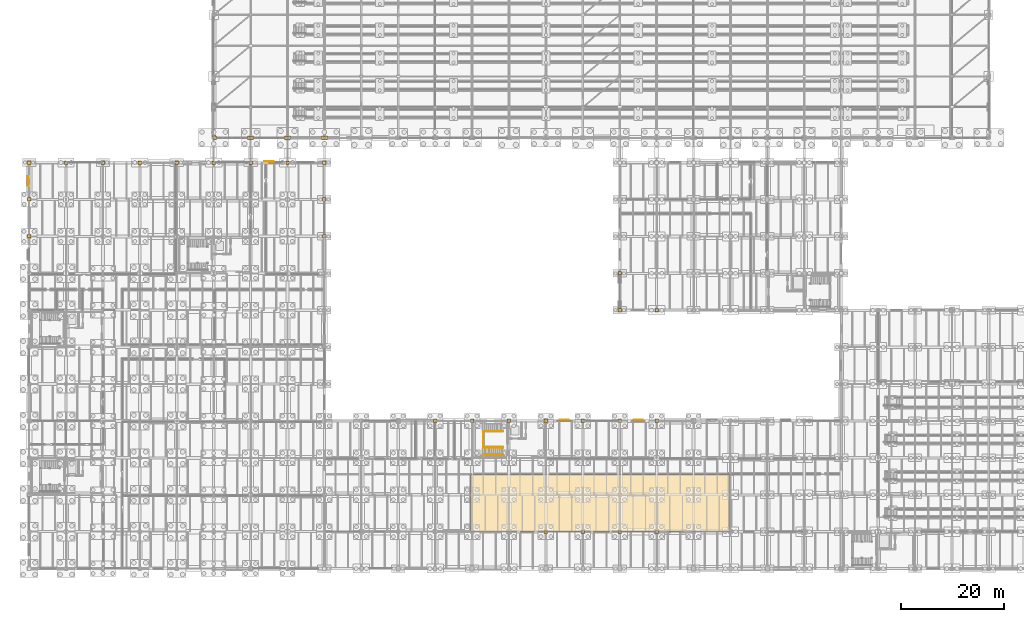
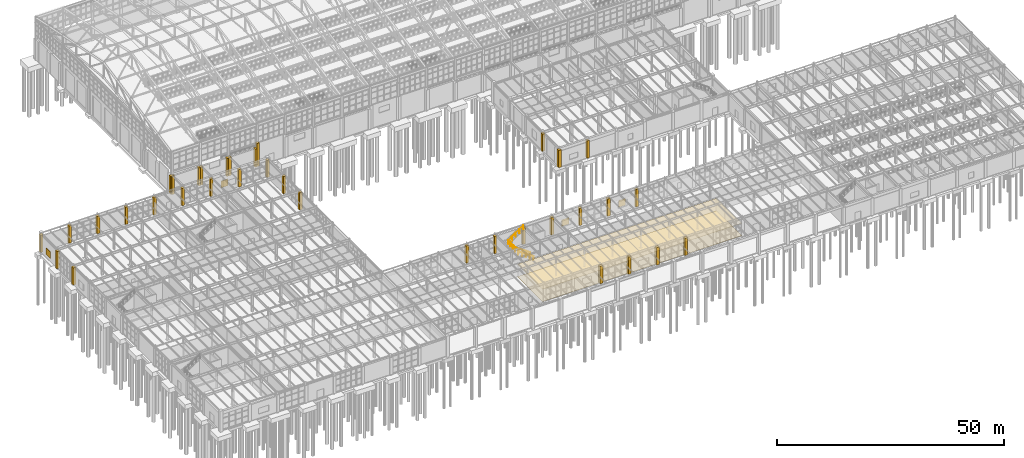
# One storey, part 280 of 293: 37 coverings, 4 shading devices, 2 railings.
"""IFC4 building model written with IfcOpenShell, lengths in metres."""

import ifcopenshell
import ifcopenshell.guid

model = None  # the IFC model being written
_history = None  # IfcOwnerHistory: only IFC2X3 demands one
_inside = {}  # id of a spatial element -> (the spatial element, [elements in it])
_under = {}  # id of a project, library or spatial element -> (it, [spatial elements below it])
_declared = {}  # id of a project -> (the project, [libraries it declares])
_typed = {}  # id of a type object -> (the type object, [elements of that type])
_made_of = {}  # id of a material, layer set ... -> (it, [elements and type objects made of it])


def new_model(schema):
    """Start an empty IFC model of exactly this schema.

    Asked for "IFC4X3", IfcOpenShell would pick the latest addendum, in which some entities
    have other attributes; the version numbers below select the first issue.
    IFC2X3 requires an IfcOwnerHistory on every rooted entity: one is made here for all.
    """
    global model, _history
    if schema == "IFC4X3":
        model = ifcopenshell.file(schema_version=(4, 3, 0, 0))
    else:
        model = ifcopenshell.file(schema=schema)
    _inside.clear()
    _under.clear()
    _declared.clear()
    _typed.clear()
    _made_of.clear()
    _history = None
    if model.schema == "IFC2X3":
        org = make("IfcOrganization", Name="unknown")
        user = make(
            "IfcPersonAndOrganization",
            ThePerson=make("IfcPerson", FamilyName="unknown"),
            TheOrganization=org,
        )
        app = make(
            "IfcApplication",
            ApplicationDeveloper=org,
            Version="unknown",
            ApplicationFullName="unknown",
            ApplicationIdentifier="unknown",
        )
        _history = make(
            "IfcOwnerHistory",
            OwningUser=user,
            OwningApplication=app,
            ChangeAction="ADDED",
            CreationDate=0,
        )
    return model


def make(cls, **values):
    """One entity of the class cls with the attributes given. An attribute that is None is left unset."""
    return model.create_entity(
        cls, **{name: value for name, value in values.items() if value is not None}
    )


def rooted(cls, **values):
    """An entity with a GlobalId (a new one), such as an element, a storey or a relation."""
    return make(cls, GlobalId=ifcopenshell.guid.new(), OwnerHistory=_history, **values)


def si_unit(unit_type, name, prefix=None):
    """IfcSIUnit, for example si_unit("LENGTHUNIT", "METRE", prefix="MILLI")."""
    return make("IfcSIUnit", UnitType=unit_type, Prefix=prefix, Name=name)


def assignment(units):
    """IfcUnitAssignment: the units of a project."""
    return None if units is None else make("IfcUnitAssignment", Units=units)


def point(xyz):
    """IfcCartesianPoint."""
    return None if xyz is None else make("IfcCartesianPoint", Coordinates=xyz)


def direction(xyz):
    """IfcDirection."""
    return None if xyz is None else make("IfcDirection", DirectionRatios=xyz)


def frame(location, z_axis=None, x_axis=None):
    """IfcAxis2Placement3D, a coordinate frame: its origin and axes. An axis left out is left unset."""
    return make(
        "IfcAxis2Placement3D",
        Location=point(location),
        Axis=direction(z_axis),
        RefDirection=direction(x_axis),
    )


def frame_2d(location, x_axis=None):
    """IfcAxis2Placement2D, a coordinate frame in the plane: its origin and x axis."""
    return make(
        "IfcAxis2Placement2D", Location=point(location), RefDirection=direction(x_axis)
    )


def origin():
    """The frame at (0, 0, 0) with its axes left unset."""
    return frame((0.0, 0.0, 0.0))


def origin_2d():
    """The frame at (0, 0) in the plane with its x axis left unset."""
    return frame_2d((0.0, 0.0))


def place(relative_to, where):
    """IfcLocalPlacement: puts the frame where relative to a parent placement (None: the world)."""
    return make(
        "IfcLocalPlacement", PlacementRelTo=relative_to, RelativePlacement=where
    )


def context(
    kind, dimensions, precision=None, world=None, true_north=None, identifier=None
):
    """IfcGeometricRepresentationContext, for example the 3D "Model" context."""
    return make(
        "IfcGeometricRepresentationContext",
        ContextIdentifier=identifier,
        ContextType=kind,
        CoordinateSpaceDimension=dimensions,
        Precision=precision,
        WorldCoordinateSystem=world,
        TrueNorth=true_north,
    )


def subcontext(parent, identifier, kind, view, scale=None):
    """IfcGeometricRepresentationSubContext, for example "Body" below "Model"."""
    return make(
        "IfcGeometricRepresentationSubContext",
        ContextIdentifier=identifier,
        ContextType=kind,
        ParentContext=parent,
        TargetScale=scale,
        TargetView=view,
    )


def project(units=None, contexts=None):
    """IfcProject with its units and contexts."""
    return rooted(
        "IfcProject",
        Name="project",
        RepresentationContexts=contexts,
        UnitsInContext=assignment(units),
    )


def spatial(cls, under=None, at=None, **own):
    """A site, building, storey or space (cls), placed at a placement, below another one or the project."""
    s = rooted(cls, ObjectPlacement=at, **own)
    if under is not None:
        _under.setdefault(under.id(), (under, []))[1].append(s)
    return s


def polyline(points):
    """IfcPolyline through the points."""
    return make("IfcPolyline", Points=[point(p) for p in points])


def profile(cls, at=None, kind="AREA", **sizes):
    """A parametric profile (cls). Its sizes go by their IFC names, for example OverallWidth=200.0."""
    return make(cls, ProfileType=kind, Position=at, **sizes)


def rectangle(**sizes):
    """IfcRectangleProfileDef."""
    return profile("IfcRectangleProfileDef", **sizes)


def circle(**sizes):
    """IfcCircleProfileDef."""
    return profile("IfcCircleProfileDef", **sizes)


def outline(outer, holes=None, kind="AREA"):
    """IfcArbitraryClosedProfileDef: a profile drawn as a closed curve; with holes, ...WithVoids."""
    if holes is None:
        return make("IfcArbitraryClosedProfileDef", ProfileType=kind, OuterCurve=outer)
    return make(
        "IfcArbitraryProfileDefWithVoids",
        ProfileType=kind,
        OuterCurve=outer,
        InnerCurves=holes,
    )


def extrude(swept, where, along, depth):
    """IfcExtrudedAreaSolid: the profile swept, set in the frame where, extruded along a direction by depth."""
    return make(
        "IfcExtrudedAreaSolid",
        SweptArea=swept,
        Position=where,
        ExtrudedDirection=direction(along),
        Depth=depth,
    )


def shape(context_of_items, identifier, shape_type, items):
    """IfcShapeRepresentation: the items that make up one representation, for example the "Body"."""
    return make(
        "IfcShapeRepresentation",
        ContextOfItems=context_of_items,
        RepresentationIdentifier=identifier,
        RepresentationType=shape_type,
        Items=items,
    )


def material(Name=None, Category=None):
    """IfcMaterial."""
    return make("IfcMaterial", Name=Name, Category=Category)


def layer(
    of_material, thickness, ventilated=None, Name=None, Category=None, Priority=None
):
    """IfcMaterialLayer: one layer of a wall or slab, of a material (None: an air gap)."""
    return make(
        "IfcMaterialLayer",
        Material=of_material,
        LayerThickness=thickness,
        IsVentilated=ventilated,
        Name=Name,
        Category=Category,
        Priority=Priority,
    )


def layer_set(layers, Name=None):
    """IfcMaterialLayerSet."""
    return make("IfcMaterialLayerSet", MaterialLayers=layers, LayerSetName=Name)


def made_of(thing, what):
    """Note that an element or type object is made of a material, layer set ...; save() writes the relation."""
    if what is not None:
        _made_of.setdefault(what.id(), (what, []))[1].append(thing)
    return thing


def type_object(cls, material=None, **own):
    """A type object (cls), such as IfcWallType, which elements share."""
    return made_of(rooted(cls, **own), material)


def element(
    cls,
    number,
    at=None,
    inside=None,
    cuts=None,
    type_object=None,
    material=None,
    context=None,
    identifier="Body",
    shape_type=None,
    held_by="IfcProductDefinitionShape",
    body=None,
    shapes=None,
    **own,
):
    """One element of the class cls, such as IfcWall. Its Tag is "e" and its number.

    at: its placement. inside: the storey or other place that contains it. cuts: it is an
    opening in that element (IfcRelVoidsElement). A single representation is given by context,
    identifier, shape_type and body (its items); several are given by shapes. held_by: the class
    of the entity that holds the representations. save() writes the other relations.
    """
    e = rooted(cls, Tag="e%d" % number, ObjectPlacement=at, **own)
    if body is not None:
        shapes = [shape(context, identifier, shape_type, body)]
    if shapes is not None:
        e.Representation = make(held_by, Representations=shapes)
    if inside is not None:
        _inside.setdefault(inside.id(), (inside, []))[1].append(e)
    if cuts is not None:
        rooted(
            "IfcRelVoidsElement", RelatingBuildingElement=cuts, RelatedOpeningElement=e
        )
    if type_object is not None:
        _typed.setdefault(type_object.id(), (type_object, []))[1].append(e)
    return made_of(e, material)


def aggregate(whole, parts):
    """IfcRelAggregates: a whole, such as a stair, and the parts it consists of."""
    return rooted("IfcRelAggregates", RelatingObject=whole, RelatedObjects=parts)


def save(model, path):
    """Write the relations noted so far, then the file.

    IfcRelAggregates (storeys below a building ...), IfcRelContainedInSpatialStructure (elements
    in a storey), IfcRelDefinesByType, IfcRelAssociatesMaterial and IfcRelDeclares: one each for
    every whole, place, type object, material and project.
    """
    for whole, parts in _under.values():
        aggregate(whole, parts)
    for where, things in _inside.values():
        rooted(
            "IfcRelContainedInSpatialStructure",
            RelatedElements=things,
            RelatingStructure=where,
        )
    for kind, things in _typed.values():
        rooted("IfcRelDefinesByType", RelatedObjects=things, RelatingType=kind)
    for what, things in _made_of.values():
        rooted("IfcRelAssociatesMaterial", RelatedObjects=things, RelatingMaterial=what)
    for by, libraries in _declared.values():
        rooted("IfcRelDeclares", RelatingContext=by, RelatedDefinitions=libraries)
    model.write(path)


model = new_model("IFC4")

# Units and contexts
model_context = context("Model", 3, precision=1e-05, world=origin(), true_north=direction((0.0, 1.0)))
body_context = subcontext(model_context, "Body", "Model", "MODEL_VIEW")
ifc_project = project(units=[si_unit("LENGTHUNIT", "METRE"), si_unit("AREAUNIT", "SQUARE_METRE"), si_unit("VOLUMEUNIT", "CUBIC_METRE"), si_unit("PLANEANGLEUNIT", "RADIAN"), si_unit("MASSUNIT", "GRAM", prefix="KILO")], contexts=[model_context])

# Site, building, storey
site_placement = place(None, origin())
site = spatial("IfcSite", under=ifc_project, at=site_placement, CompositionType="ELEMENT")
building_placement = place(site_placement, origin())
building = spatial("IfcBuilding", under=site, at=building_placement, Name="Kemerveld Promenade Tramway Depot", CompositionType="ELEMENT")
storey_placement = place(building_placement, origin())
storey = spatial("IfcBuildingStorey", under=building, at=storey_placement, Name="L00", CompositionType="ELEMENT", Elevation=0.0)

# Coverings
ifc_material_1 = material(Name="Perforated mineral-fibre acoustic ceiling")
ifc_layer_1 = layer(ifc_material_1, 0.02490234375)
ifc_layer_set_1 = layer_set([ifc_layer_1], Name="COV-CEIL-AC")
covering_type_1 = type_object("IfcCoveringType", Name="COV-CEIL-AC", PredefinedType="CEILING", material=ifc_layer_set_1)
covering_1_placement = place(storey_placement, frame((0.0, 0.0, 3.35498046875)))
element("IfcCovering", 1, at=covering_1_placement, inside=storey, type_object=covering_type_1, Name="CEIL-RM-L00-V4-EXH", PredefinedType="CEILING", context=body_context, shape_type="SweptSolid", body=[
    extrude(outline(polyline([(86.050048828125, 7.25), (136.75, 7.25), (136.75, 18.35009765625), (86.050048828125, 18.35009765625), (86.050048828125, 7.25)])), origin(), (0.0, 0.0, 1.0), 0.02490234375),
])
ifc_material_2 = material(Name="Dressed Harare granite ashlar cladding", Category="masonry")
ifc_layer_2 = layer(ifc_material_2, 0.050048828125)
ifc_layer_set_2 = layer_set([ifc_layer_2], Name="COV-CLAD-GRAN")
covering_type_2 = type_object("IfcCoveringType", Name="COV-CLAD-GRAN", PredefinedType="CLADDING", material=ifc_layer_set_2)
covering_2_placement = place(storey_placement, origin())
element("IfcCovering", 2, at=covering_2_placement, inside=storey, type_object=covering_type_2, Name="CLAD-PIER-L00-003", PredefinedType="CLADDING", context=body_context, shape_type="SweptSolid", body=[
    extrude(outline(polyline([(42.639892578125, 83.659912109375), (43.320068359375, 83.659912109375), (43.320068359375, 84.340087890625), (42.639892578125, 84.340087890625), (42.639892578125, 83.659912109375)])), origin(), (0.0, 0.0, 1.0), 4.843505859375),
])
covering_3_placement = place(storey_placement, origin())
element("IfcCovering", 3, at=covering_3_placement, inside=storey, type_object=covering_type_2, Name="CLAD-PIER-L00-004", PredefinedType="CLADDING", context=body_context, shape_type="SweptSolid", body=[
    extrude(outline(polyline([(35.8798828125, 83.659912109375), (36.56005859375, 83.659912109375), (36.56005859375, 84.340087890625), (35.8798828125, 84.340087890625), (35.8798828125, 83.659912109375)])), origin(), (0.0, 0.0, 1.0), 4.843505859375),
])
covering_4_placement = place(storey_placement, origin())
element("IfcCovering", 4, at=covering_4_placement, inside=storey, type_object=covering_type_2, Name="CLAD-PIER-L00-006", PredefinedType="CLADDING", context=body_context, shape_type="SweptSolid", body=[
    extrude(outline(polyline([(49.840087890625, 83.659912109375), (50.52001953125, 83.659912109375), (50.52001953125, 84.340087890625), (49.840087890625, 84.340087890625), (49.840087890625, 83.659912109375)])), origin(), (0.0, 0.0, 1.0), 4.843505859375),
])
covering_5_placement = place(storey_placement, origin())
element("IfcCovering", 5, at=covering_5_placement, inside=storey, type_object=covering_type_2, Name="CLAD-PIER-L00-007", PredefinedType="CLADDING", context=body_context, shape_type="SweptSolid", body=[
    extrude(outline(polyline([(43.080078125, 83.659912109375), (43.760009765625, 83.659912109375), (43.760009765625, 84.340087890625), (43.080078125, 84.340087890625), (43.080078125, 83.659912109375)])), origin(), (0.0, 0.0, 1.0), 4.843505859375),
])
covering_6_placement = place(storey_placement, origin())
element("IfcCovering", 6, at=covering_6_placement, inside=storey, type_object=covering_type_2, Name="CLAD-PIER-L00-009", PredefinedType="CLADDING", context=body_context, shape_type="SweptSolid", body=[
    extrude(outline(polyline([(57.0400390625, 83.659912109375), (57.719970703125, 83.659912109375), (57.719970703125, 84.340087890625), (57.0400390625, 84.340087890625), (57.0400390625, 83.659912109375)])), origin(), (0.0, 0.0, 1.0), 4.843505859375),
])
covering_7_placement = place(storey_placement, origin())
element("IfcCovering", 7, at=covering_7_placement, inside=storey, type_object=covering_type_2, Name="CLAD-PIER-L00-010", PredefinedType="CLADDING", context=body_context, shape_type="SweptSolid", body=[
    extrude(outline(polyline([(50.280029296875, 83.659912109375), (50.9599609375, 83.659912109375), (50.9599609375, 84.340087890625), (50.280029296875, 84.340087890625), (50.280029296875, 83.659912109375)])), origin(), (0.0, 0.0, 1.0), 4.843505859375),
])
covering_8_placement = place(storey_placement, origin())
element("IfcCovering", 8, at=covering_8_placement, inside=storey, type_object=covering_type_2, Name="CLAD-PIER-L00-013", PredefinedType="CLADDING", context=body_context, shape_type="SweptSolid", body=[
    extrude(outline(polyline([(57.47998046875, 83.659912109375), (58.159912109375, 83.659912109375), (58.159912109375, 84.340087890625), (57.47998046875, 84.340087890625), (57.47998046875, 83.659912109375)])), origin(), (0.0, 0.0, 1.0), 6.199951171875),
])
covering_9_placement = place(storey_placement, origin())
element("IfcCovering", 9, at=covering_9_placement, inside=storey, type_object=covering_type_2, Name="CLAD-PIER-L00-065", PredefinedType="CLADDING", context=body_context, shape_type="SweptSolid", body=[
    extrude(outline(polyline([(35.659912109375, 83.8798828125), (36.340087890625, 83.8798828125), (36.340087890625, 84.56005859375), (35.659912109375, 84.56005859375), (35.659912109375, 83.8798828125)])), origin(), (0.0, 0.0, 1.0), 4.843505859375),
])
covering_10_placement = place(storey_placement, origin())
element("IfcCovering", 10, at=covering_10_placement, inside=storey, type_object=covering_type_2, Name="CLAD-PIER-L00-090", PredefinedType="CLADDING", context=body_context, shape_type="SweptSolid", body=[
    extrude(outline(polyline([(-0.340087890625, 64.4599609375), (0.340087890625, 64.4599609375), (0.340087890625, 65.139892578125), (-0.340087890625, 65.139892578125), (-0.340087890625, 64.4599609375)])), origin(), (0.0, 0.0, 1.0), 4.64990234375),
])
covering_11_placement = place(storey_placement, origin())
element("IfcCovering", 11, at=covering_11_placement, inside=storey, type_object=covering_type_2, Name="CLAD-PIER-L00-091", PredefinedType="CLADDING", context=body_context, shape_type="SweptSolid", body=[
    extrude(outline(polyline([(-0.340087890625, 71.659912109375), (0.340087890625, 71.659912109375), (0.340087890625, 72.340087890625), (-0.340087890625, 72.340087890625), (-0.340087890625, 71.659912109375)])), origin(), (0.0, 0.0, 1.0), 4.64990234375),
])
covering_12_placement = place(storey_placement, origin())
element("IfcCovering", 12, at=covering_12_placement, inside=storey, type_object=covering_type_2, Name="CLAD-PIER-L00-092", PredefinedType="CLADDING", context=body_context, shape_type="SweptSolid", body=[
    extrude(outline(polyline([(-0.340087890625, 78.860107421875), (0.340087890625, 78.860107421875), (0.340087890625, 79.5400390625), (-0.340087890625, 79.5400390625), (-0.340087890625, 78.860107421875)])), origin(), (0.0, 0.0, 1.0), 4.64990234375),
])
covering_13_placement = place(storey_placement, origin())
element("IfcCovering", 13, at=covering_13_placement, inside=storey, type_object=covering_type_2, Name="CLAD-PIER-L00-093", PredefinedType="CLADDING", context=body_context, shape_type="SweptSolid", body=[
    extrude(outline(polyline([(6.860107421875, 78.860107421875), (7.5400390625, 78.860107421875), (7.5400390625, 79.5400390625), (6.860107421875, 79.5400390625), (6.860107421875, 78.860107421875)])), origin(), (0.0, 0.0, 1.0), 4.64990234375),
])
covering_14_placement = place(storey_placement, origin())
element("IfcCovering", 14, at=covering_14_placement, inside=storey, type_object=covering_type_2, Name="CLAD-PIER-L00-094", PredefinedType="CLADDING", context=body_context, shape_type="SweptSolid", body=[
    extrude(outline(polyline([(14.06005859375, 78.860107421875), (14.739990234375, 78.860107421875), (14.739990234375, 79.5400390625), (14.06005859375, 79.5400390625), (14.06005859375, 78.860107421875)])), origin(), (0.0, 0.0, 1.0), 4.64990234375),
])
covering_15_placement = place(storey_placement, origin())
element("IfcCovering", 15, at=covering_15_placement, inside=storey, type_object=covering_type_2, Name="CLAD-PIER-L00-095", PredefinedType="CLADDING", context=body_context, shape_type="SweptSolid", body=[
    extrude(outline(polyline([(21.260009765625, 78.860107421875), (21.93994140625, 78.860107421875), (21.93994140625, 79.5400390625), (21.260009765625, 79.5400390625), (21.260009765625, 78.860107421875)])), origin(), (0.0, 0.0, 1.0), 4.64990234375),
])
covering_16_placement = place(storey_placement, origin())
element("IfcCovering", 16, at=covering_16_placement, inside=storey, type_object=covering_type_2, Name="CLAD-PIER-L00-096", PredefinedType="CLADDING", context=body_context, shape_type="SweptSolid", body=[
    extrude(outline(polyline([(28.4599609375, 78.860107421875), (29.139892578125, 78.860107421875), (29.139892578125, 79.5400390625), (28.4599609375, 79.5400390625), (28.4599609375, 78.860107421875)])), origin(), (0.0, 0.0, 1.0), 4.64990234375),
])
covering_17_placement = place(storey_placement, origin())
element("IfcCovering", 17, at=covering_17_placement, inside=storey, type_object=covering_type_2, Name="CLAD-PIER-L00-097", PredefinedType="CLADDING", context=body_context, shape_type="SweptSolid", body=[
    extrude(outline(polyline([(35.659912109375, 78.860107421875), (36.340087890625, 78.860107421875), (36.340087890625, 79.5400390625), (35.659912109375, 79.5400390625), (35.659912109375, 78.860107421875)])), origin(), (0.0, 0.0, 1.0), 4.64990234375),
])
covering_18_placement = place(storey_placement, origin())
element("IfcCovering", 18, at=covering_18_placement, inside=storey, type_object=covering_type_2, Name="CLAD-PIER-L00-098", PredefinedType="CLADDING", context=body_context, shape_type="SweptSolid", body=[
    extrude(outline(polyline([(42.860107421875, 78.860107421875), (43.5400390625, 78.860107421875), (43.5400390625, 79.5400390625), (42.860107421875, 79.5400390625), (42.860107421875, 78.860107421875)])), origin(), (0.0, 0.0, 1.0), 4.64990234375),
])
covering_19_placement = place(storey_placement, origin())
element("IfcCovering", 19, at=covering_19_placement, inside=storey, type_object=covering_type_2, Name="CLAD-PIER-L00-099", PredefinedType="CLADDING", context=body_context, shape_type="SweptSolid", body=[
    extrude(outline(polyline([(50.06005859375, 78.860107421875), (50.739990234375, 78.860107421875), (50.739990234375, 79.5400390625), (50.06005859375, 79.5400390625), (50.06005859375, 78.860107421875)])), origin(), (0.0, 0.0, 1.0), 4.64990234375),
])
covering_20_placement = place(storey_placement, origin())
element("IfcCovering", 20, at=covering_20_placement, inside=storey, type_object=covering_type_2, Name="CLAD-PIER-L00-100", PredefinedType="CLADDING", context=body_context, shape_type="SweptSolid", body=[
    extrude(outline(polyline([(57.260009765625, 78.860107421875), (57.93994140625, 78.860107421875), (57.93994140625, 79.5400390625), (57.260009765625, 79.5400390625), (57.260009765625, 78.860107421875)])), origin(), (0.0, 0.0, 1.0), 4.64990234375),
])
covering_21_placement = place(storey_placement, origin())
element("IfcCovering", 21, at=covering_21_placement, inside=storey, type_object=covering_type_2, Name="CLAD-PIER-L00-101", PredefinedType="CLADDING", context=body_context, shape_type="SweptSolid", body=[
    extrude(outline(polyline([(57.260009765625, 71.659912109375), (57.93994140625, 71.659912109375), (57.93994140625, 72.340087890625), (57.260009765625, 72.340087890625), (57.260009765625, 71.659912109375)])), origin(), (0.0, 0.0, 1.0), 4.64990234375),
])
covering_22_placement = place(storey_placement, origin())
element("IfcCovering", 22, at=covering_22_placement, inside=storey, type_object=covering_type_2, Name="CLAD-PIER-L00-102", PredefinedType="CLADDING", context=body_context, shape_type="SweptSolid", body=[
    extrude(outline(polyline([(57.260009765625, 64.4599609375), (57.93994140625, 64.4599609375), (57.93994140625, 65.139892578125), (57.260009765625, 65.139892578125), (57.260009765625, 64.4599609375)])), origin(), (0.0, 0.0, 1.0), 4.64990234375),
])
covering_23_placement = place(storey_placement, origin())
element("IfcCovering", 23, at=covering_23_placement, inside=storey, type_object=covering_type_2, Name="CLAD-PIER-L00-121", PredefinedType="CLADDING", context=body_context, shape_type="SweptSolid", body=[
    extrude(outline(polyline([(122.06005859375, 6.860107421875), (122.739990234375, 6.860107421875), (122.739990234375, 7.5400390625), (122.06005859375, 7.5400390625), (122.06005859375, 6.860107421875)])), origin(), (0.0, 0.0, 1.0), 4.64990234375),
])
covering_24_placement = place(storey_placement, origin())
element("IfcCovering", 24, at=covering_24_placement, inside=storey, type_object=covering_type_2, Name="CLAD-PIER-L00-122", PredefinedType="CLADDING", context=body_context, shape_type="SweptSolid", body=[
    extrude(outline(polyline([(114.860107421875, 6.860107421875), (115.5400390625, 6.860107421875), (115.5400390625, 7.5400390625), (114.860107421875, 7.5400390625), (114.860107421875, 6.860107421875)])), origin(), (0.0, 0.0, 1.0), 4.64990234375),
])
covering_25_placement = place(storey_placement, origin())
element("IfcCovering", 25, at=covering_25_placement, inside=storey, type_object=covering_type_2, Name="CLAD-PIER-L00-123", PredefinedType="CLADDING", context=body_context, shape_type="SweptSolid", body=[
    extrude(outline(polyline([(107.659912109375, 6.860107421875), (108.340087890625, 6.860107421875), (108.340087890625, 7.5400390625), (107.659912109375, 7.5400390625), (107.659912109375, 6.860107421875)])), origin(), (0.0, 0.0, 1.0), 4.64990234375),
])
covering_26_placement = place(storey_placement, origin())
element("IfcCovering", 26, at=covering_26_placement, inside=storey, type_object=covering_type_2, Name="CLAD-PIER-L00-124", PredefinedType="CLADDING", context=body_context, shape_type="SweptSolid", body=[
    extrude(outline(polyline([(100.4599609375, 6.860107421875), (101.139892578125, 6.860107421875), (101.139892578125, 7.5400390625), (100.4599609375, 7.5400390625), (100.4599609375, 6.860107421875)])), origin(), (0.0, 0.0, 1.0), 4.64990234375),
])
covering_27_placement = place(storey_placement, origin())
element("IfcCovering", 27, at=covering_27_placement, inside=storey, type_object=covering_type_2, Name="CLAD-PIER-L00-132", PredefinedType="CLADDING", context=body_context, shape_type="SweptSolid", body=[
    extrude(outline(polyline([(78.860107421875, 28.4599609375), (79.5400390625, 28.4599609375), (79.5400390625, 29.139892578125), (78.860107421875, 29.139892578125), (78.860107421875, 28.4599609375)])), origin(), (0.0, 0.0, 1.0), 4.64990234375),
])
covering_28_placement = place(storey_placement, origin())
element("IfcCovering", 28, at=covering_28_placement, inside=storey, type_object=covering_type_2, Name="CLAD-PIER-L00-133", PredefinedType="CLADDING", context=body_context, shape_type="SweptSolid", body=[
    extrude(outline(polyline([(86.06005859375, 28.4599609375), (86.739990234375, 28.4599609375), (86.739990234375, 29.139892578125), (86.06005859375, 29.139892578125), (86.06005859375, 28.4599609375)])), origin(), (0.0, 0.0, 1.0), 4.64990234375),
])
covering_29_placement = place(storey_placement, origin())
element("IfcCovering", 29, at=covering_29_placement, inside=storey, type_object=covering_type_2, Name="CLAD-PIER-L00-134", PredefinedType="CLADDING", context=body_context, shape_type="SweptSolid", body=[
    extrude(outline(polyline([(93.260009765625, 28.4599609375), (93.93994140625, 28.4599609375), (93.93994140625, 29.139892578125), (93.260009765625, 29.139892578125), (93.260009765625, 28.4599609375)])), origin(), (0.0, 0.0, 1.0), 4.64990234375),
])
covering_30_placement = place(storey_placement, origin())
element("IfcCovering", 30, at=covering_30_placement, inside=storey, type_object=covering_type_2, Name="CLAD-PIER-L00-135", PredefinedType="CLADDING", context=body_context, shape_type="SweptSolid", body=[
    extrude(outline(polyline([(100.4599609375, 28.4599609375), (101.139892578125, 28.4599609375), (101.139892578125, 29.139892578125), (100.4599609375, 29.139892578125), (100.4599609375, 28.4599609375)])), origin(), (0.0, 0.0, 1.0), 4.64990234375),
])
covering_31_placement = place(storey_placement, origin())
element("IfcCovering", 31, at=covering_31_placement, inside=storey, type_object=covering_type_2, Name="CLAD-PIER-L00-136", PredefinedType="CLADDING", context=body_context, shape_type="SweptSolid", body=[
    extrude(outline(polyline([(107.659912109375, 28.4599609375), (108.340087890625, 28.4599609375), (108.340087890625, 29.139892578125), (107.659912109375, 29.139892578125), (107.659912109375, 28.4599609375)])), origin(), (0.0, 0.0, 1.0), 4.64990234375),
])
covering_32_placement = place(storey_placement, origin())
element("IfcCovering", 32, at=covering_32_placement, inside=storey, type_object=covering_type_2, Name="CLAD-PIER-L00-137", PredefinedType="CLADDING", context=body_context, shape_type="SweptSolid", body=[
    extrude(outline(polyline([(114.860107421875, 28.4599609375), (115.5400390625, 28.4599609375), (115.5400390625, 29.139892578125), (114.860107421875, 29.139892578125), (114.860107421875, 28.4599609375)])), origin(), (0.0, 0.0, 1.0), 4.64990234375),
])
covering_33_placement = place(storey_placement, origin())
element("IfcCovering", 33, at=covering_33_placement, inside=storey, type_object=covering_type_2, Name="CLAD-PIER-L00-138", PredefinedType="CLADDING", context=body_context, shape_type="SweptSolid", body=[
    extrude(outline(polyline([(122.06005859375, 28.4599609375), (122.739990234375, 28.4599609375), (122.739990234375, 29.139892578125), (122.06005859375, 29.139892578125), (122.06005859375, 28.4599609375)])), origin(), (0.0, 0.0, 1.0), 4.64990234375),
])
covering_34_placement = place(storey_placement, origin())
element("IfcCovering", 34, at=covering_34_placement, inside=storey, type_object=covering_type_2, Name="CLAD-PIER-L00-143", PredefinedType="CLADDING", context=body_context, shape_type="SweptSolid", body=[
    extrude(outline(polyline([(114.860107421875, 50.06005859375), (115.5400390625, 50.06005859375), (115.5400390625, 50.739990234375), (114.860107421875, 50.739990234375), (114.860107421875, 50.06005859375)])), origin(), (0.0, 0.0, 1.0), 4.64990234375),
])
covering_35_placement = place(storey_placement, origin())
element("IfcCovering", 35, at=covering_35_placement, inside=storey, type_object=covering_type_2, Name="CLAD-PIER-L00-144", PredefinedType="CLADDING", context=body_context, shape_type="SweptSolid", body=[
    extrude(outline(polyline([(114.860107421875, 57.260009765625), (115.5400390625, 57.260009765625), (115.5400390625, 57.93994140625), (114.860107421875, 57.93994140625), (114.860107421875, 57.260009765625)])), origin(), (0.0, 0.0, 1.0), 4.64990234375),
])
covering_36_placement = place(storey_placement, origin())
element("IfcCovering", 36, at=covering_36_placement, inside=storey, type_object=covering_type_2, Name="CLAD-PIER-L00-162", PredefinedType="CLADDING", context=body_context, shape_type="SweptSolid", body=[
    extrude(outline(polyline([(122.06005859375, 50.06005859375), (122.739990234375, 50.06005859375), (122.739990234375, 50.739990234375), (122.06005859375, 50.739990234375), (122.06005859375, 50.06005859375)])), origin(), (0.0, 0.0, 1.0), 4.64990234375),
])
ifc_material_3 = material(Name="Honed Harare granite terrazzo flooring", Category="masonry")
ifc_layer_3 = layer(ifc_material_3, 0.02001953125)
ifc_layer_set_3 = layer_set([ifc_layer_3], Name="COV-FLR-TERR")
covering_type_3 = type_object("IfcCoveringType", Name="COV-FLR-TERR", PredefinedType="FLOORING", material=ifc_layer_set_3)
covering_37_placement = place(storey_placement, origin())
element("IfcCovering", 37, at=covering_37_placement, inside=storey, type_object=covering_type_3, Name="FLR-RM-L00-V4-EXH", PredefinedType="FLOORING", context=body_context, shape_type="SweptSolid", body=[
    extrude(outline(polyline([(86.050048828125, 7.25), (136.75, 7.25), (136.75, 18.35009765625), (86.050048828125, 18.35009765625), (86.050048828125, 7.25)])), origin(), (0.0, 0.0, 1.0), 0.02001953125),
])

# Railings
ifc_material_4 = material(Name="Galvanised painted steel balustrade", Category="steel")
railing_type_1 = type_object("IfcRailingType", Name="RL-GRD-1100", PredefinedType="GUARDRAIL", material=ifc_material_4)
railing_1_placement = place(storey_placement, frame((92.3798828125, 23.614990234375, 0.0)))
element("IfcRailing", 38, at=railing_1_placement, inside=storey, type_object=railing_type_1, Name="RL-GRD-ST-04-L00", PredefinedType="GUARDRAIL", context=body_context, shape_type="SweptSolid", body=[
    extrude(circle(Radius=0.02392578125, at=origin_2d()), frame((0.0, 0.0, 1.09619140625), z_axis=(-0.815889850665, 0.0, 0.578207360366), x_axis=(0.0, -1.0, 0.0)), (0.0, 0.0, 1.0), 4.66943359375),
    extrude(circle(Radius=0.02392578125, at=origin_2d()), frame((-3.809814453125, 0.0, 3.7958984375), z_axis=(0.0, 1.0, 0.0), x_axis=(-1.0, 0.0, 0.0)), (0.0, 0.0, 1.0), 3.169921875),
    extrude(circle(Radius=0.02392578125, at=origin_2d()), frame((-3.809814453125, 3.169921875, 3.7958984375), z_axis=(0.815889850665, 0.0, 0.578207360366), x_axis=(0.0, 1.0, 0.0)), (0.0, 0.0, 1.0), 4.66943359375),
    extrude(circle(Radius=0.02099609375, at=origin_2d()), origin(), (0.0, 0.0, 1.0), 1.072021484375),
    extrude(circle(Radius=0.02099609375, at=origin_2d()), frame((-0.952392578125, 0.0, 0.675048828125)), (0.0, 0.0, 1.0), 1.072021484375),
    extrude(circle(Radius=0.02099609375, at=origin_2d()), frame((-1.90478515625, 0.0, 1.35009765625)), (0.0, 0.0, 1.0), 1.072021484375),
    extrude(circle(Radius=0.02099609375, at=origin_2d()), frame((-2.857421875, 0.0, 2.02490234375)), (0.0, 0.0, 1.0), 1.072021484375),
    extrude(circle(Radius=0.02099609375, at=origin_2d()), frame((-3.809814453125, 0.0, 2.699951171875)), (0.0, 0.0, 1.0), 1.072021484375),
    extrude(circle(Radius=0.02099609375, at=origin_2d()), frame((-3.809814453125, 1.056640625, 2.699951171875)), (0.0, 0.0, 1.0), 1.072021484375),
    extrude(circle(Radius=0.02099609375, at=origin_2d()), frame((-3.809814453125, 2.11328125, 2.699951171875)), (0.0, 0.0, 1.0), 1.072021484375),
    extrude(circle(Radius=0.02099609375, at=origin_2d()), frame((-3.809814453125, 3.169921875, 2.699951171875)), (0.0, 0.0, 1.0), 1.072021484375),
    extrude(circle(Radius=0.02099609375, at=origin_2d()), frame((-2.857421875, 3.169921875, 3.375)), (0.0, 0.0, 1.0), 1.072021484375),
    extrude(circle(Radius=0.02099609375, at=origin_2d()), frame((-1.90478515625, 3.169921875, 4.0498046875)), (0.0, 0.0, 1.0), 1.072021484375),
    extrude(circle(Radius=0.02099609375, at=origin_2d()), frame((-0.952392578125, 3.169921875, 4.724853515625)), (0.0, 0.0, 1.0), 1.072021484375),
    extrude(circle(Radius=0.02099609375, at=origin_2d()), frame((0.0, 3.169921875, 5.39990234375)), (0.0, 0.0, 1.0), 1.072021484375),
])
ifc_material_5 = material(Name="Brushed stainless steel tubular handrail", Category="steel")
railing_type_2 = type_object("IfcRailingType", Name="RL-HR-920", PredefinedType="HANDRAIL", material=ifc_material_5)
railing_2_placement = place(storey_placement, frame((92.3798828125, 22.2451171875, 0.0)))
element("IfcRailing", 39, at=railing_2_placement, inside=storey, type_object=railing_type_2, Name="RL-HR-ST-04-L00", PredefinedType="HANDRAIL", context=body_context, shape_type="SweptSolid", body=[
    extrude(circle(Radius=0.02392578125, at=origin_2d()), frame((0.0, 0.0, 0.89599609375), z_axis=(-0.818023040443, 0.0, 0.575185452967), x_axis=(0.0, -1.0, 0.0)), (0.0, 0.0, 1.0), 4.694091796875),
    extrude(circle(Radius=0.02099609375, at=origin_2d()), origin(), (0.0, 0.0, 1.0), 0.871826171875),
    extrude(circle(Radius=0.02099609375, at=origin_2d()), frame((-0.9599609375, 0.0, 0.675048828125)), (0.0, 0.0, 1.0), 0.871826171875),
    extrude(circle(Radius=0.02099609375, at=origin_2d()), frame((-1.919921875, 0.0, 1.35009765625)), (0.0, 0.0, 1.0), 0.871826171875),
    extrude(circle(Radius=0.02099609375, at=origin_2d()), frame((-2.8798828125, 0.0, 2.02490234375)), (0.0, 0.0, 1.0), 0.871826171875),
    extrude(circle(Radius=0.02099609375, at=origin_2d()), frame((-3.83984375, 0.0, 2.699951171875)), (0.0, 0.0, 1.0), 0.871826171875),
])

# Shading devices
ifc_material_6 = material(Name="Perforated bronze-aluminium sun screen", Category="aluminium")
ifc_layer_4 = layer(ifc_material_6, 0.080078125)
ifc_layer_set_4 = layer_set([ifc_layer_4], Name="SHD-SCREEN")
shading_device_type = type_object("IfcShadingDeviceType", Name="SHD-SCREEN", PredefinedType="SHUTTER", material=ifc_layer_set_4)
shading_device_placement = place(storey_placement, frame((-0.22998046875, 75.60009765625, 0.9501953125), z_axis=(0.0, 0.0, 1.0), x_axis=(1.0, 0.0, 0.0)))
element("IfcShadingDevice", 40, at=shading_device_placement, inside=storey, type_object=shading_device_type, Name="SHD-L00-013", PredefinedType="SHUTTER", context=body_context, shape_type="SweptSolid", body=[
    extrude(rectangle(XDim=0.080078125, YDim=1.800048828125, at=origin_2d()), origin(), (0.0, 0.0, 1.0), 1.800048828125),
])
for number, where, z_axis, x_axis, name in (
    (41, (46.800048828125, 79.429931640625, 0.9501953125), (0.0, 0.0, 1.0), (1.0, 0.0, 0.0), "SHD-L00-014"),
    (42, (104.39990234375, 29.030029296875, 0.9501953125), (0.0, 0.0, 1.0), (1.0, 0.0, 0.0), "SHD-L00-015"),
    (43, (118.800048828125, 29.030029296875, 1.0498046875), (0.0, 0.0, 1.0), (1.0, 0.0, 0.0), "SHD-L00-016"),
):
    element("IfcShadingDevice", number, at=place(storey_placement, frame(where, z_axis=z_axis, x_axis=x_axis)), inside=storey, type_object=shading_device_type, Name=name, PredefinedType="SHUTTER", context=body_context, shape_type="SweptSolid", body=[
        extrude(rectangle(XDim=1.800048828125, YDim=0.080078125, at=origin_2d()), origin(), (0.0, 0.0, 1.0), 1.800048828125),
    ])

save(model, "model.ifc")
